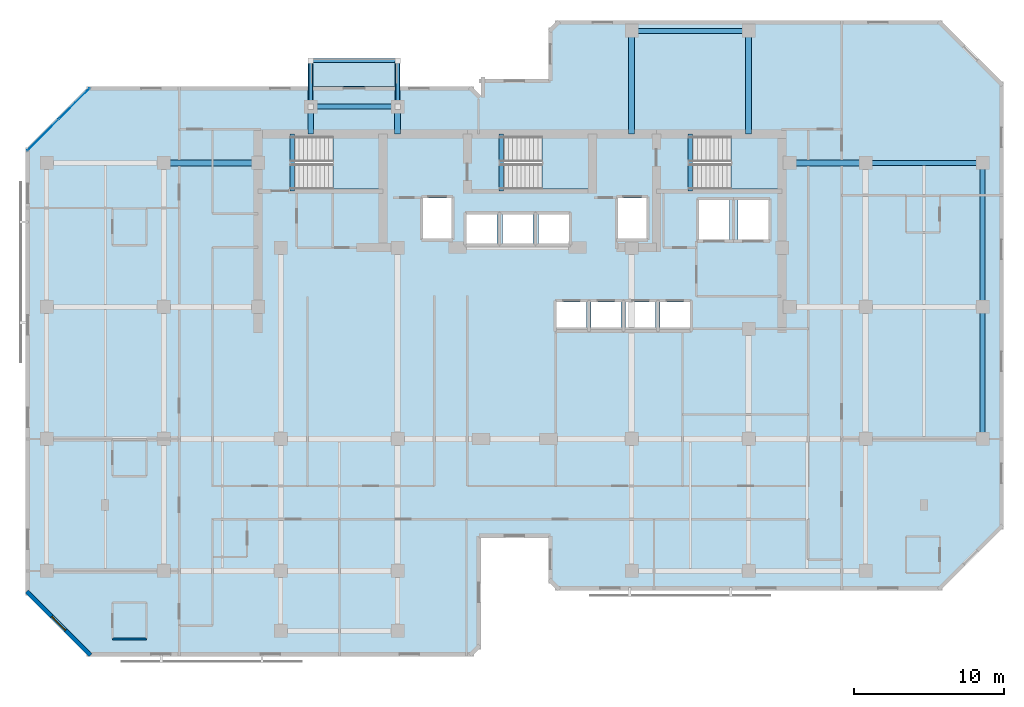
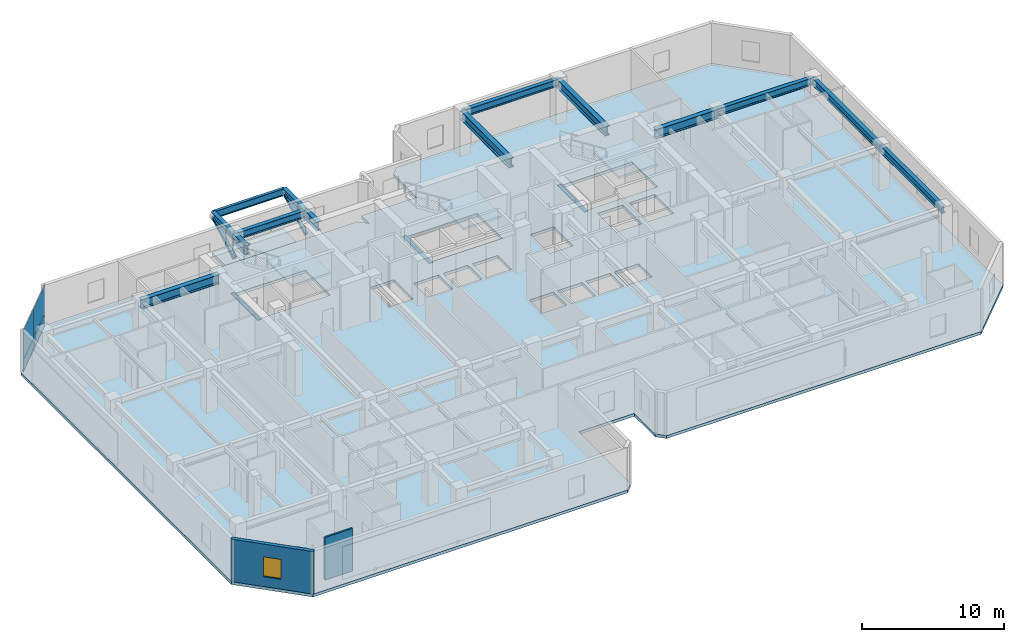
# One storey, part 3 of 10: 17 beams, 5 slabs, 4 plates, 2 members, 2 walls, 1 window, 1 opening, 4 elements without a shape of their own.
"""IFC4 building model written with IfcOpenShell, lengths in metres."""

from ifc_helpers import new_model, si_unit, direction, frame, frame_2d, origin, origin_2d, place, context, subcontext, project, spatial, polyline, rectangle, hollow_rectangle, i_section, outline, extrude, material, layer, layer_set, material_profile, profile_set, type_object, element, fill, aggregate, save


model = new_model("IFC4")

# Units and contexts
model_context = context("Model", 3, precision=1e-05, world=origin(), true_north=direction((0.0, 1.0)))
body_context = subcontext(model_context, "Body", "Model", "MODEL_VIEW")
ifc_project = project(units=[si_unit("LENGTHUNIT", "METRE"), si_unit("AREAUNIT", "SQUARE_METRE"), si_unit("VOLUMEUNIT", "CUBIC_METRE"), si_unit("PLANEANGLEUNIT", "RADIAN"), si_unit("MASSUNIT", "GRAM", prefix="KILO")], contexts=[model_context])

# Site, building, storey
site_placement = place(None, origin())
site = spatial("IfcSite", under=ifc_project, at=site_placement, CompositionType="ELEMENT")
building_placement = place(site_placement, origin())
building = spatial("IfcBuilding", under=site, at=building_placement, Name="Kestravale Grand Hotel", CompositionType="ELEMENT")
storey_placement = place(building_placement, frame((0.0, 0.0, 212.39990234375)))
storey = spatial("IfcBuildingStorey", under=building, at=storey_placement, Name="L53", CompositionType="ELEMENT", Elevation=212.39990234375)

# Beams
ifc_material_1 = material(Name="Concrete f'c 45 MPa", Category="concrete")
ifc_material_profile_1 = material_profile(ifc_material_1, rectangle(XDim=0.300048828125, YDim=0.39990234375, at=origin_2d()))
ifc_profile_set_1 = profile_set([ifc_material_profile_1], Name="Concrete f'c 45 MPa")
beam_type_1 = type_object("IfcBeamType", Name="B-FLR-LNT400", PredefinedType="LINTEL", material=ifc_profile_set_1)
for number, where, z_axis, x_axis, name in (
    (1, (24.159912109375, 36.52001953125, -0.199951171875), (0.0, 1.0, 0.0), (-1.0, 0.0, 0.0), "L53 ST1 flight bottom header beam"),
    (2, (38.110107421875, 36.52001953125, -0.199951171875), (0.0, 1.0, 0.0), (-1.0, 0.0, 0.0), "L53 ST2 flight bottom header beam"),
    (3, (50.7099609375, 36.52001953125, -0.199951171875), (0.0, 1.0, 0.0), (-1.0, 0.0, 0.0), "L53 ST3 flight bottom header beam"),
):
    element("IfcBeam", number, at=place(storey_placement, frame(where, z_axis=z_axis, x_axis=x_axis)), inside=storey, type_object=beam_type_1, Name=name, PredefinedType="LINTEL", context=body_context, shape_type="SweptSolid", body=[
        extrude(rectangle(XDim=0.300048828125, YDim=0.39990234375, at=origin_2d()), origin(), (0.0, 0.0, 1.0), 3.800048828125),
    ])
ifc_material_2 = material(Name="Steel ASTM A992 Grade 50", Category="steel")
ifc_material_profile_2 = material_profile(ifc_material_2, i_section(OverallWidth=0.324951171875, OverallDepth=0.612060546875, WebThickness=0.0126953125, FlangeThickness=0.01904296875, FilletRadius=0.018798828125, at=origin_2d()))
ifc_profile_set_2 = profile_set([ifc_material_profile_2], Name="Steel ASTM A992 Grade 50")
beam_type_2 = type_object("IfcBeamType", Name="B-FLR-W24A", PredefinedType="SPANDREL", material=ifc_profile_set_2)
for number, where, z_axis, x_axis, name in (
    (4, (62.39990234375, 38.39990234375, 3.343994140625), (1.0, 0.0, 0.0), (0.0, 1.0, 0.0), "L53 spandrel F:10-11"),
    (5, (46.800048828125, 47.199951171875, 3.343994140625), (1.0, 0.0, 0.0), (0.0, 1.0, 0.0), "L53 spandrel G:8-9"),
):
    element("IfcBeam", number, at=place(storey_placement, frame(where, z_axis=z_axis, x_axis=x_axis)), inside=storey, type_object=beam_type_2, Name=name, PredefinedType="SPANDREL", context=body_context, shape_type="SweptSolid", body=[
        extrude(i_section(OverallWidth=0.324951171875, OverallDepth=0.612060546875, WebThickness=0.0126953125, FlangeThickness=0.01904296875, FilletRadius=0.018798828125, at=origin_2d()), origin(), (0.0, 0.0, 1.0), 7.800048828125),
    ])
beam_1_placement = place(storey_placement, frame((25.39990234375, 42.14990234375, 3.343994140625), z_axis=(1.0, 0.0, 0.0), x_axis=(0.0, 1.0, 0.0)))
element("IfcBeam", 6, at=beam_1_placement, inside=storey, type_object=beam_type_2, Name="L53 perimeter tie spandrel FN:4-5", PredefinedType="SPANDREL", context=body_context, shape_type="SweptSolid", body=[
    extrude(i_section(OverallWidth=0.324951171875, OverallDepth=0.612060546875, WebThickness=0.0126953125, FlangeThickness=0.01904296875, FilletRadius=0.018798828125, at=origin_2d()), origin(), (0.0, 0.0, 1.0), 5.800048828125),
])
beam_2_placement = place(storey_placement, frame((70.199951171875, 20.0, 3.343994140625), z_axis=(0.0, 1.0, 0.0), x_axis=(-1.0, 0.0, 0.0)))
element("IfcBeam", 7, at=beam_2_placement, inside=storey, type_object=beam_type_2, Name="L53 spandrel 11:D-E", PredefinedType="SPANDREL", context=body_context, shape_type="SweptSolid", body=[
    extrude(i_section(OverallWidth=0.324951171875, OverallDepth=0.612060546875, WebThickness=0.0126953125, FlangeThickness=0.01904296875, FilletRadius=0.018798828125, at=origin_2d()), origin(), (0.0, 0.0, 1.0), 8.800048828125),
])
beam_3_placement = place(storey_placement, frame((70.199951171875, 28.800048828125, 3.343994140625), z_axis=(0.0, 1.0, 0.0), x_axis=(-1.0, 0.0, 0.0)))
element("IfcBeam", 8, at=beam_3_placement, inside=storey, type_object=beam_type_2, Name="L53 spandrel 11:E-F", PredefinedType="SPANDREL", context=body_context, shape_type="SweptSolid", body=[
    extrude(i_section(OverallWidth=0.324951171875, OverallDepth=0.612060546875, WebThickness=0.0126953125, FlangeThickness=0.01904296875, FilletRadius=0.018798828125, at=origin_2d()), origin(), (0.0, 0.0, 1.0), 9.599853515625),
])
for number, where, z_axis, x_axis, name in (
    (9, (25.39990234375, 42.14990234375, 3.32421875), (0.0, 1.0, 0.0), (-1.0, 0.0, 0.0), "L54 terrace cantilever beam 1"),
    (10, (31.199951171875, 42.14990234375, 3.32421875), (0.0, 1.0, 0.0), (-1.0, 0.0, 0.0), "L54 terrace cantilever beam 2"),
):
    element("IfcBeam", number, at=place(storey_placement, frame(where, z_axis=z_axis, x_axis=x_axis)), inside=storey, type_object=beam_type_2, Name=name, PredefinedType="SPANDREL", context=body_context, shape_type="SweptSolid", body=[
        extrude(i_section(OverallWidth=0.324951171875, OverallDepth=0.612060546875, WebThickness=0.0126953125, FlangeThickness=0.01904296875, FilletRadius=0.018798828125, at=origin_2d()), origin(), (0.0, 0.0, 1.0), 3.050048828125),
    ])
ifc_material_3 = material(Name="Steel ASTM A992 Grade 50", Category="steel")
ifc_material_profile_3 = material_profile(ifc_material_3, i_section(OverallWidth=0.22900390625, OverallDepth=0.612060546875, WebThickness=0.011962890625, FlangeThickness=0.01953125, FilletRadius=0.019287109375, at=origin_2d()))
ifc_profile_set_3 = profile_set([ifc_material_profile_3], Name="Steel ASTM A992 Grade 50")
beam_type_3 = type_object("IfcBeamType", Name="B-FLR-W24B", PredefinedType="SPANDREL", material=ifc_profile_set_3)
beam_4_placement = place(storey_placement, frame((25.39990234375, 45.199951171875, 3.32421875), z_axis=(1.0, 0.0, 0.0), x_axis=(0.0, 1.0, 0.0)))
element("IfcBeam", 11, at=beam_4_placement, inside=storey, type_object=beam_type_3, Name="L54 terrace edge spandrel", PredefinedType="SPANDREL", context=body_context, shape_type="SweptSolid", body=[
    extrude(i_section(OverallWidth=0.22900390625, OverallDepth=0.612060546875, WebThickness=0.011962890625, FlangeThickness=0.01953125, FilletRadius=0.019287109375, at=origin_2d()), origin(), (0.0, 0.0, 1.0), 5.800048828125),
])
ifc_material_4 = material(Name="Steel ASTM A992 Grade 50", Category="steel")
ifc_material_profile_4 = material_profile(ifc_material_4, i_section(OverallWidth=0.381103515625, OverallDepth=0.77197265625, WebThickness=0.0166015625, FlangeThickness=0.027099609375, FilletRadius=0.023681640625, at=origin_2d()))
ifc_profile_set_4 = profile_set([ifc_material_profile_4], Name="Steel ASTM A992 Grade 50")
beam_type_4 = type_object("IfcBeamType", Name="B-GRD-W30", PredefinedType="BEAM", material=ifc_profile_set_4)
beam_5_placement = place(storey_placement, frame((15.60009765625, 38.39990234375, 3.26416015625), z_axis=(1.0, 0.0, 0.0), x_axis=(0.0, 1.0, 0.0)))
element("IfcBeam", 12, at=beam_5_placement, inside=storey, type_object=beam_type_4, Name="L53 girder F:3-CW", PredefinedType="BEAM", context=body_context, shape_type="SweptSolid", body=[
    extrude(i_section(OverallWidth=0.381103515625, OverallDepth=0.77197265625, WebThickness=0.0166015625, FlangeThickness=0.027099609375, FilletRadius=0.023681640625, at=origin_2d()), origin(), (0.0, 0.0, 1.0), 6.2998046875),
])
beam_6_placement = place(storey_placement, frame((57.35009765625, 38.39990234375, 3.26416015625), z_axis=(1.0, 0.0, 0.0), x_axis=(0.0, 1.0, 0.0)))
element("IfcBeam", 13, at=beam_6_placement, inside=storey, type_object=beam_type_4, Name="L53 girder F:CE-10", PredefinedType="BEAM", context=body_context, shape_type="SweptSolid", body=[
    extrude(i_section(OverallWidth=0.381103515625, OverallDepth=0.77197265625, WebThickness=0.0166015625, FlangeThickness=0.027099609375, FilletRadius=0.023681640625, at=origin_2d()), origin(), (0.0, 0.0, 1.0), 5.0498046875),
])
for number, where, z_axis, x_axis, name in (
    (14, (25.39990234375, 40.320068359375, 3.26416015625), (0.0, 1.0, 0.0), (-1.0, 0.0, 0.0), "L53 north wing tie girder 4:CN-FN"),
    (15, (31.199951171875, 40.320068359375, 3.26416015625), (0.0, 1.0, 0.0), (-1.0, 0.0, 0.0), "L53 north wing tie girder 5:CN-FN"),
):
    element("IfcBeam", number, at=place(storey_placement, frame(where, z_axis=z_axis, x_axis=x_axis)), inside=storey, type_object=beam_type_4, Name=name, PredefinedType="BEAM", context=body_context, shape_type="SweptSolid", body=[
        extrude(i_section(OverallWidth=0.381103515625, OverallDepth=0.77197265625, WebThickness=0.0166015625, FlangeThickness=0.027099609375, FilletRadius=0.023681640625, at=origin_2d()), origin(), (0.0, 0.0, 1.0), 1.829833984375),
    ])
for number, where, z_axis, x_axis, name in (
    (16, (46.800048828125, 40.320068359375, 3.26416015625), (0.0, 1.0, 0.0), (-1.0, 0.0, 0.0), "L53 north wing tie girder 8:CN-G"),
    (17, (54.60009765625, 40.320068359375, 3.26416015625), (0.0, 1.0, 0.0), (-1.0, 0.0, 0.0), "L53 north wing tie girder 9:CN-G"),
):
    element("IfcBeam", number, at=place(storey_placement, frame(where, z_axis=z_axis, x_axis=x_axis)), inside=storey, type_object=beam_type_4, Name=name, PredefinedType="BEAM", context=body_context, shape_type="SweptSolid", body=[
        extrude(i_section(OverallWidth=0.381103515625, OverallDepth=0.77197265625, WebThickness=0.0166015625, FlangeThickness=0.027099609375, FilletRadius=0.023681640625, at=origin_2d()), origin(), (0.0, 0.0, 1.0), 6.8798828125),
    ])

# Members
ifc_material_5 = material(Name="Steel ASTM A500 Grade C", Category="steel")
ifc_material_profile_5 = material_profile(ifc_material_5, hollow_rectangle(XDim=0.25, YDim=0.25, WallThickness=0.011962890625, InnerFilletRadius=0.011962890625, OuterFilletRadius=0.02392578125, at=origin_2d()))
ifc_profile_set_5 = profile_set([ifc_material_profile_5], Name="Steel ASTM A500 Grade C")
member_type = type_object("IfcMemberType", Name="M-BLT-STR250", PredefinedType="STRUT", material=ifc_profile_set_5)
for number, where, z_axis, x_axis, name in (
    (18, (25.39990234375, 42.14990234375, 1.47412109375), (0.0, 0.873490250237, 0.486841640311), (-1.0, 0.0, 0.0), "L54 terrace knee-brace strut 1"),
    (19, (31.199951171875, 42.14990234375, 1.47412109375), (0.0, 0.873490250237, 0.486841640311), (-1.0, 0.0, 0.0), "L54 terrace knee-brace strut 2"),
):
    element("IfcMember", number, at=place(storey_placement, frame(where, z_axis=z_axis, x_axis=x_axis)), inside=storey, type_object=member_type, Name=name, PredefinedType="STRUT", context=body_context, shape_type="SweptSolid", body=[
        extrude(hollow_rectangle(XDim=0.25, YDim=0.25, WallThickness=0.011962890625, InnerFilletRadius=0.011962890625, OuterFilletRadius=0.02392578125, at=origin_2d()), origin(), (0.0, 0.0, 1.0), 3.49169921875),
    ])

# Curtain wall, plates
ifc_material_6 = material(Name="Thermally broken champagne-bronze aluminium and low-E glazing", Category="aluminium")
ifc_layer_1 = layer(ifc_material_6, 0.179931640625)
ifc_layer_set_1 = layer_set([ifc_layer_1], Name="CW-Z3")
curtain_wall_type = type_object("IfcCurtainWallType", Name="CW-Z3", PredefinedType="NOTDEFINED", material=ifc_layer_set_1)
curtain_wall_placement = place(storey_placement, origin())
curtain_wall = element("IfcCurtainWall", 20, at=curtain_wall_placement, inside=storey, type_object=curtain_wall_type, Name="L53 unitised curtain wall 18", PredefinedType="NOTDEFINED")
ifc_material_7 = material(Name="Insulated clear low-E double glazing IGU", Category="glass")
ifc_layer_2 = layer(ifc_material_7, 0.031982421875)
ifc_layer_set_2 = layer_set([ifc_layer_2], Name="CW-PNL-32")
plate_type = type_object("IfcPlateType", Name="CW-PNL-32", PredefinedType="CURTAIN_PANEL", material=ifc_layer_set_2)
plate_1_placement = place(storey_placement, frame((9.64453125, 42.3466796875, 0.06494140625), z_axis=(0.0, 0.0, 1.0), x_axis=(-0.707106781187, -0.707106781187, 0.0)))
plate_1 = element("IfcPlate", 21, at=plate_1_placement, type_object=plate_type, Name="CW-Z3 panel 1.1", PredefinedType="CURTAIN_PANEL", context=body_context, shape_type="SweptSolid", body=[
    extrude(rectangle(XDim=2.892333984375, YDim=0.031982421875, at=origin_2d()), origin(), (0.0, 0.0, 1.0), 0.952392578125),
])
plate_2_placement = place(storey_placement, frame((9.64453125, 42.3466796875, 1.08251953125), z_axis=(0.0, 0.0, 1.0), x_axis=(-0.707106781187, -0.707106781187, 0.0)))
plate_2 = element("IfcPlate", 22, at=plate_2_placement, type_object=plate_type, Name="CW-Z3 panel 1.2", PredefinedType="CURTAIN_PANEL", context=body_context, shape_type="SweptSolid", body=[
    extrude(rectangle(XDim=2.892333984375, YDim=0.031982421875, at=origin_2d()), origin(), (0.0, 0.0, 1.0), 2.50244140625),
])
plate_3_placement = place(storey_placement, frame((7.553466796875, 40.25537109375, 0.06494140625), z_axis=(0.0, 0.0, 1.0), x_axis=(-0.707106781187, -0.707106781187, 0.0)))
plate_3 = element("IfcPlate", 23, at=plate_3_placement, type_object=plate_type, Name="CW-Z3 panel 2.1", PredefinedType="CURTAIN_PANEL", context=body_context, shape_type="SweptSolid", body=[
    extrude(rectangle(XDim=2.892333984375, YDim=0.031982421875, at=origin_2d()), origin(), (0.0, 0.0, 1.0), 0.952392578125),
])
plate_4_placement = place(storey_placement, frame((7.553466796875, 40.25537109375, 1.08251953125), z_axis=(0.0, 0.0, 1.0), x_axis=(-0.707106781187, -0.707106781187, 0.0)))
plate_4 = element("IfcPlate", 24, at=plate_4_placement, type_object=plate_type, Name="CW-Z3 panel 2.2", PredefinedType="CURTAIN_PANEL", context=body_context, shape_type="SweptSolid", body=[
    extrude(rectangle(XDim=2.892333984375, YDim=0.031982421875, at=origin_2d()), origin(), (0.0, 0.0, 1.0), 2.50244140625),
])
aggregate(curtain_wall, [plate_1, plate_2, plate_3, plate_4])

# Slab
ifc_material_8 = material(Name="Concrete f'c 45 MPa", Category="concrete")
ifc_layer_3 = layer(ifc_material_8, 0.27001953125)
ifc_layer_set_3 = layer_set([ifc_layer_3], Name="ES-TERR-270")
slab_type_1 = type_object("IfcSlabType", Name="ES-TERR-270", PredefinedType="FLOOR", material=ifc_layer_set_3)
slab_1_placement = place(storey_placement, frame((0.0, 0.0, -0.27001953125)))
element("IfcSlab", 25, at=slab_1_placement, inside=storey, type_object=slab_type_1, Name="L53 spiralling planted garden terrace", PredefinedType="FLOOR", context=body_context, shape_type="SweptSolid", body=[
    extrude(outline(polyline([(25.39990234375, 43.5), (31.199951171875, 43.5), (31.199951171875, 45.35009765625), (25.39990234375, 45.35009765625), (25.39990234375, 43.5)])), origin(), (0.0, 0.0, 1.0), 0.27001953125),
])

# Stair, slab
ifc_material_9 = material(Name="Concrete f'c 45 MPa", Category="concrete")
stair_type = type_object("IfcStairType", Name="ST-CORE-390", PredefinedType="HALF_TURN_STAIR", material=ifc_material_9)
stair_1_placement = place(storey_placement, origin())
stair_1 = element("IfcStair", 26, at=stair_1_placement, inside=storey, type_object=stair_type, Name="L53 ST-1", PredefinedType="HALF_TURN_STAIR")
ifc_material_10 = material(Name="Concrete f'c 45 MPa", Category="concrete")
ifc_layer_4 = layer(ifc_material_10, 0.199951171875)
ifc_layer_set_4 = layer_set([ifc_layer_4], Name="SLB-ST-LND200")
slab_type_2 = type_object("IfcSlabType", Name="SLB-ST-LND200", PredefinedType="LANDING", material=ifc_layer_set_4)
slab_2_placement = place(storey_placement, frame((0.0, 0.0, 1.75)))
slab_2 = element("IfcSlab", 27, at=slab_2_placement, type_object=slab_type_2, Name="ST-1 landing 1", PredefinedType="LANDING", context=body_context, shape_type="SweptSolid", body=[
    extrude(outline(polyline([(26.8798828125, 36.64990234375), (30.0, 36.64990234375), (30.0, 40.159912109375), (26.8798828125, 40.159912109375), (26.8798828125, 36.64990234375)])), origin(), (0.0, 0.0, 1.0), 0.2001953125),
])
aggregate(stair_1, [slab_2])

stair_2_placement = place(storey_placement, origin())
stair_2 = element("IfcStair", 28, at=stair_2_placement, inside=storey, type_object=stair_type, Name="L53 ST-2", PredefinedType="HALF_TURN_STAIR")
slab_3_placement = place(storey_placement, frame((0.0, 0.0, 1.75)))
slab_3 = element("IfcSlab", 29, at=slab_3_placement, type_object=slab_type_2, Name="ST-2 landing 1", PredefinedType="LANDING", context=body_context, shape_type="SweptSolid", body=[
    extrude(outline(polyline([(40.830078125, 36.64990234375), (43.949951171875, 36.64990234375), (43.949951171875, 40.159912109375), (40.830078125, 40.159912109375), (40.830078125, 36.64990234375)])), origin(), (0.0, 0.0, 1.0), 0.2001953125),
])
aggregate(stair_2, [slab_3])

stair_3_placement = place(storey_placement, origin())
stair_3 = element("IfcStair", 30, at=stair_3_placement, inside=storey, type_object=stair_type, Name="L53 ST-3", PredefinedType="HALF_TURN_STAIR")
slab_4_placement = place(storey_placement, frame((0.0, 0.0, 1.75)))
slab_4 = element("IfcSlab", 31, at=slab_4_placement, type_object=slab_type_2, Name="ST-3 landing 1", PredefinedType="LANDING", context=body_context, shape_type="SweptSolid", body=[
    extrude(outline(polyline([(53.429931640625, 36.64990234375), (56.550048828125, 36.64990234375), (56.550048828125, 40.159912109375), (53.429931640625, 40.159912109375), (53.429931640625, 36.64990234375)])), origin(), (0.0, 0.0, 1.0), 0.2001953125),
])
aggregate(stair_3, [slab_4])

# Slab
ifc_material_11 = material(Name="Concrete f'c 45 MPa", Category="concrete")
ifc_layer_5 = layer(ifc_material_11, 0.25)
ifc_layer_set_5 = layer_set([ifc_layer_5], Name="SS-FLR-250")
slab_type_3 = type_object("IfcSlabType", Name="SS-FLR-250", PredefinedType="FLOOR", material=ifc_layer_set_5)
slab_5_placement = place(storey_placement, frame((0.0, 0.0, -0.25)))
element("IfcSlab", 32, at=slab_5_placement, inside=storey, type_object=slab_type_3, Name="L53 structural floor slab", PredefinedType="FLOOR", context=body_context, shape_type="SweptSolid", body=[
    extrude(outline(polyline([(10.60009765625, 5.5), (36.14990234375, 5.5), (36.75, 6.10009765625), (36.75, 13.39990234375), (41.25, 13.39990234375), (41.25, 10.5), (41.85009765625, 9.89990234375), (67.39990234375, 9.89990234375), (71.60009765625, 14.10009765625), (71.60009765625, 43.699951171875), (67.39990234375, 47.89990234375), (41.85009765625, 47.89990234375), (41.25, 47.300048828125), (41.25, 44.0), (36.75, 44.0), (36.75, 42.89990234375), (36.14990234375, 43.5), (10.60009765625, 43.5), (6.39990234375, 39.300048828125), (6.39990234375, 9.699951171875), (10.60009765625, 5.5)]), holes=[polyline([(24.080078125, 36.64990234375), (30.0, 36.64990234375), (30.0, 40.159912109375), (24.080078125, 40.159912109375), (24.080078125, 36.64990234375)]), polyline([(38.030029296875, 36.64990234375), (43.949951171875, 36.64990234375), (43.949951171875, 40.159912109375), (38.030029296875, 40.159912109375), (38.030029296875, 36.64990234375)]), polyline([(50.6298828125, 36.64990234375), (56.550048828125, 36.64990234375), (56.550048828125, 40.159912109375), (50.6298828125, 40.159912109375), (50.6298828125, 36.64990234375)]), polyline([(41.804931640625, 27.280029296875), (43.794921875, 27.280029296875), (43.794921875, 29.1201171875), (41.804931640625, 29.1201171875), (41.804931640625, 27.280029296875)]), polyline([(44.10498046875, 27.280029296875), (46.094970703125, 27.280029296875), (46.094970703125, 29.1201171875), (44.10498046875, 29.1201171875), (44.10498046875, 27.280029296875)]), polyline([(46.405029296875, 27.280029296875), (48.39501953125, 27.280029296875), (48.39501953125, 29.1201171875), (46.405029296875, 29.1201171875), (46.405029296875, 27.280029296875)]), polyline([(48.705078125, 27.280029296875), (50.695068359375, 27.280029296875), (50.695068359375, 29.1201171875), (48.705078125, 29.1201171875), (48.705078125, 27.280029296875)]), polyline([(35.780029296875, 33.030029296875), (37.820068359375, 33.030029296875), (37.820068359375, 34.969970703125), (35.780029296875, 34.969970703125), (35.780029296875, 33.030029296875)]), polyline([(38.179931640625, 33.030029296875), (40.219970703125, 33.030029296875), (40.219970703125, 34.969970703125), (38.179931640625, 34.969970703125), (38.179931640625, 33.030029296875)]), polyline([(40.580078125, 33.030029296875), (42.6201171875, 33.030029296875), (42.6201171875, 34.969970703125), (40.580078125, 34.969970703125), (40.580078125, 33.030029296875)]), polyline([(32.905029296875, 33.35498046875), (34.794921875, 33.35498046875), (34.794921875, 36.044921875), (32.905029296875, 36.044921875), (32.905029296875, 33.35498046875)]), polyline([(45.905029296875, 33.35498046875), (47.794921875, 33.35498046875), (47.794921875, 36.044921875), (45.905029296875, 36.044921875), (45.905029296875, 33.35498046875)]), polyline([(51.280029296875, 33.280029296875), (53.320068359375, 33.280029296875), (53.320068359375, 35.919921875), (51.280029296875, 35.919921875), (51.280029296875, 33.280029296875)]), polyline([(53.8798828125, 33.280029296875), (55.919921875, 33.280029296875), (55.919921875, 35.919921875), (53.8798828125, 35.919921875), (53.8798828125, 33.280029296875)])]), origin(), (0.0, 0.0, 1.0), 0.25),
])

# Wall, opening, window
ifc_material_12 = material(Name="Precast concrete f'c 45 MPa", Category="concrete")
ifc_layer_6 = layer(ifc_material_12, 0.280029296875)
ifc_layer_set_6 = layer_set([ifc_layer_6], Name="EW-PREC-280")
wall_type_1 = type_object("IfcWallType", Name="EW-PREC-280", PredefinedType="SOLIDWALL", material=ifc_layer_set_6)
wall_1_placement = place(storey_placement, frame((6.470703125, 9.827392578125, 0.0), z_axis=(0.0, 0.0, 1.0), x_axis=(0.707106781187, -0.707106781187, 0.0)))
wall_1 = element("IfcWall", 33, at=wall_1_placement, inside=storey, type_object=wall_type_1, Name="L53 fluted precast facade wall 20", PredefinedType="SOLIDWALL", context=body_context, shape_type="SweptSolid", body=[
    extrude(rectangle(XDim=6.019775390625, YDim=0.280029296875, at=frame_2d((3.009765625, 0.0))), origin(), (0.0, 0.0, 1.0), 3.650146484375),
])
opening_placement = place(wall_1_placement, frame((2.35986328125, 0.0, 0.85009765625)))
opening = element("IfcOpeningElement", 34, at=opening_placement, cuts=wall_1, Name="Opening W-GUEST-1300", PredefinedType="OPENING", context=body_context, shape_type="SweptSolid", body=[
    extrude(rectangle(XDim=1.300048828125, YDim=1.699951171875, at=frame_2d((0.64990234375, 0.85009765625))), frame((0.0, 0.14990234375, 0.0), z_axis=(0.0, -1.0, 0.0), x_axis=(1.0, 0.0, 0.0)), (0.0, 0.0, 1.0), 0.300048828125),
])
ifc_material_13 = material(Name="Insulated low-E double glazing in aluminium frame", Category="aluminium")
window_type = type_object("IfcWindowType", Name="W-GUEST-1300", PartitioningType="SINGLE_PANEL", PredefinedType="WINDOW", material=ifc_material_13)
window_placement = place(opening_placement, origin())
window = element("IfcWindow", 35, at=window_placement, inside=storey, type_object=window_type, Name="L53 exterior window 20.1", OverallHeight=1.699951171875, OverallWidth=1.300048828125, PartitioningType="SINGLE_PANEL", PredefinedType="WINDOW", context=body_context, shape_type="SweptSolid", body=[
    extrude(rectangle(XDim=1.300048828125, YDim=1.699951171875, at=frame_2d((0.64990234375, 0.85009765625))), frame((0.0, 0.030029296875, 0.0), z_axis=(0.0, -1.0, 0.0), x_axis=(1.0, 0.0, 0.0)), (0.0, 0.0, 1.0), 0.06005859375),
])
fill(opening, window)

# Wall
ifc_material_14 = material(Name="Moisture-resistant tile-backer plumbing chase wall", Category="other")
ifc_layer_7 = layer(ifc_material_14, 0.139892578125)
ifc_layer_set_7 = layer_set([ifc_layer_7], Name="IW-PLB-140")
wall_type_2 = type_object("IfcWallType", Name="IW-PLB-140", PredefinedType="PLUMBINGWALL", material=ifc_layer_set_7)
wall_2_placement = place(storey_placement, frame((12.199951171875, 6.64990234375, 0.0), z_axis=(0.0, 0.0, 1.0), x_axis=(1.0, 0.0, 0.0)))
element("IfcWall", 36, at=wall_2_placement, inside=storey, type_object=wall_type_2, Name="W-L53-U02-BS", PredefinedType="PLUMBINGWALL", context=body_context, shape_type="SweptSolid", body=[
    extrude(rectangle(XDim=2.25, YDim=0.139892578125, at=frame_2d((1.125, 0.0))), origin(), (0.0, 0.0, 1.0), 3.650146484375),
])

save(model, "model.ifc")
